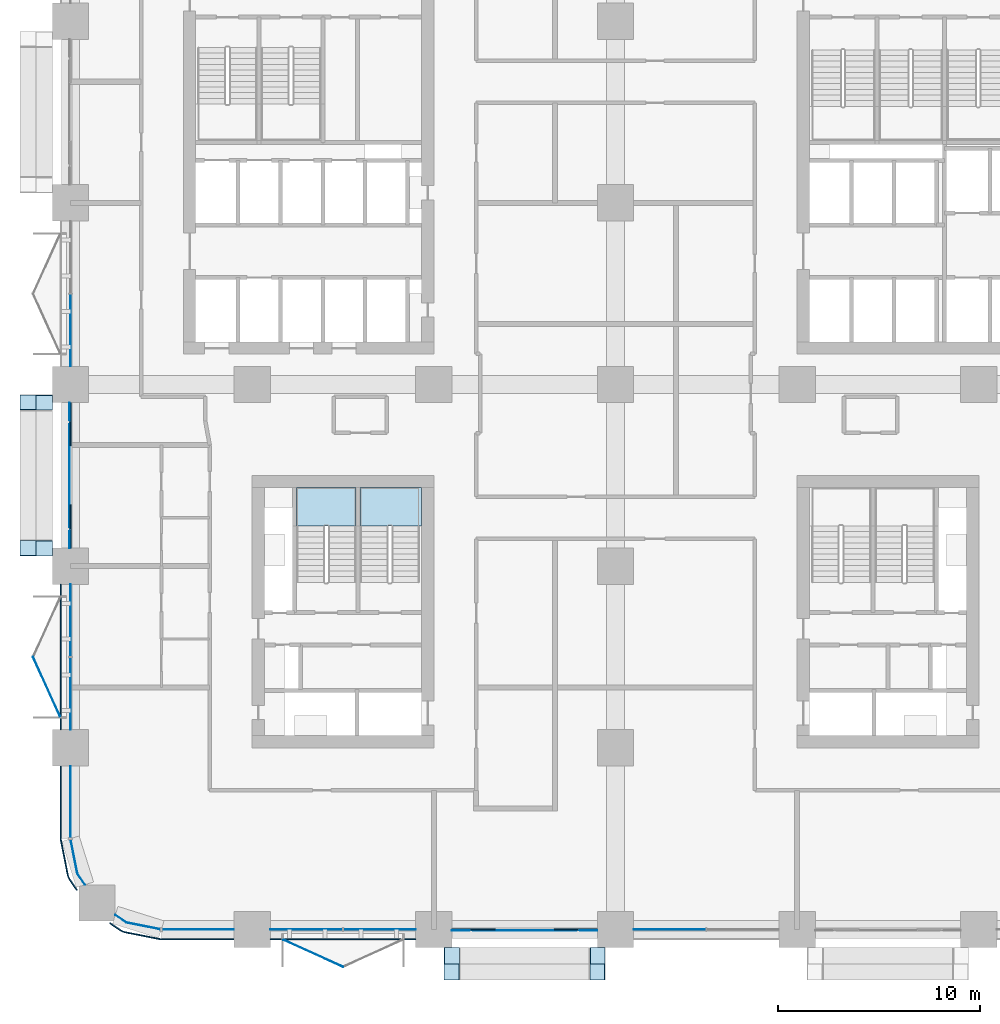
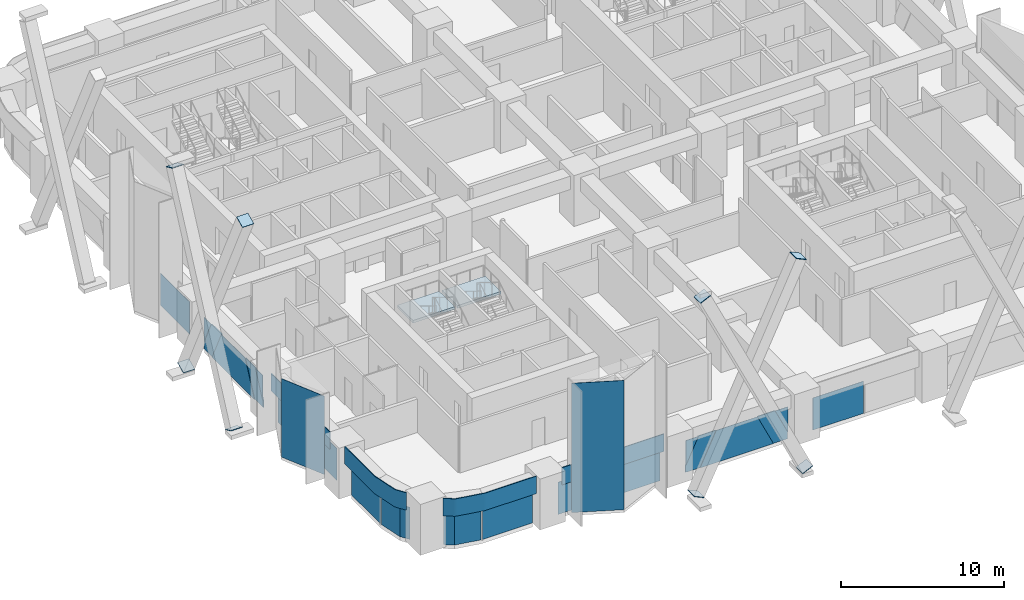
# One storey, part 10 of 23: 34 plates, 2 slabs, 10 elements without a shape of their own.
"""IFC4 building model written with IfcOpenShell, lengths in metres."""

from ifc_helpers import new_model, si_unit, direction, frame, origin, origin_2d, place, context, subcontext, project, spatial, polyline, rectangle, outline, extrude, material, layer, layer_set, type_object, element, aggregate, save


model = new_model("IFC4")

# Units and contexts
model_context = context("Model", 3, precision=1e-05, world=origin(), true_north=direction((0.0, 1.0)))
body_context = subcontext(model_context, "Body", "Model", "MODEL_VIEW")
ifc_project = project(units=[si_unit("LENGTHUNIT", "METRE"), si_unit("AREAUNIT", "SQUARE_METRE"), si_unit("VOLUMEUNIT", "CUBIC_METRE"), si_unit("PLANEANGLEUNIT", "RADIAN"), si_unit("MASSUNIT", "GRAM", prefix="KILO")], contexts=[model_context])

# Site, building, storey
site_placement = place(None, origin())
site = spatial("IfcSite", under=ifc_project, at=site_placement, CompositionType="ELEMENT")
building_placement = place(site_placement, origin())
building = spatial("IfcBuilding", under=site, at=building_placement, Name="Tessera Arch", CompositionType="ELEMENT")
storey_placement = place(building_placement, frame((0.0, 0.0, 46.199951171875)))
storey = spatial("IfcBuildingStorey", under=building, at=storey_placement, Name="L09", CompositionType="ELEMENT", Elevation=46.199951171875)

# Curtain wall, plates
ifc_material_1 = material(Name="CW1 curtain wall")
curtain_wall_type_1 = type_object("IfcCurtainWallType", Name="CW1 curtain wall", PredefinedType="NOTDEFINED", material=ifc_material_1)
curtain_wall_1_placement = place(storey_placement, origin())
curtain_wall_1 = element("IfcCurtainWall", 1, at=curtain_wall_1_placement, inside=storey, type_object=curtain_wall_type_1, Name="CW1 curtain wall S0.0/0 L09", PredefinedType="NOTDEFINED")
ifc_material_2 = material(Name="Clear low-e glass", Category="glass")
ifc_material_3 = material(Name="Clear low-e glass", Category="glass")
ifc_layer_1 = layer(ifc_material_3, 0.028076171875)
ifc_layer_set_1 = layer_set([ifc_layer_1], Name="CW1 glass panel")
plate_type_1 = type_object("IfcPlateType", Name="CW1 glass panel", PredefinedType="CURTAIN_PANEL", material=ifc_layer_set_1)
plate_1_placement = place(storey_placement, frame((11.68505859375, 0.0, 0.0), z_axis=(0.0, 0.0, 1.0), x_axis=(1.0, 0.0, 0.0)))
plate_1 = element("IfcPlate", 2, at=plate_1_placement, type_object=plate_type_1, material=ifc_material_2, Name="CW1 glass panel S0.0/0 1.1.1", PredefinedType="CURTAIN_PANEL", context=body_context, shape_type="SweptSolid", body=[
    extrude(rectangle(XDim=3.570068359375, YDim=0.028076171875, at=origin_2d()), origin(), (0.0, 0.0, 1.0), 2.39990234375),
])
plate_2_placement = place(storey_placement, frame((15.31494140625, 0.0, 0.0), z_axis=(0.0, 0.0, 1.0), x_axis=(1.0, 0.0, 0.0)))
plate_2 = element("IfcPlate", 3, at=plate_2_placement, type_object=plate_type_1, material=ifc_material_2, Name="CW1 glass panel S0.0/0 1.2.1", PredefinedType="CURTAIN_PANEL", context=body_context, shape_type="SweptSolid", body=[
    extrude(rectangle(XDim=3.570068359375, YDim=0.028076171875, at=origin_2d()), origin(), (0.0, 0.0, 1.0), 2.39990234375),
])

# Curtain wall, plate
curtain_wall_2_placement = place(storey_placement, origin())
curtain_wall_2 = element("IfcCurtainWall", 4, at=curtain_wall_2_placement, inside=storey, type_object=curtain_wall_type_1, Name="CW1 curtain wall S0.0/2 L09", PredefinedType="NOTDEFINED")
plate_3_placement = place(storey_placement, frame((29.68505859375, 0.0, 0.0), z_axis=(0.0, 0.0, 1.0), x_axis=(1.0, 0.0, 0.0)))
plate_3 = element("IfcPlate", 5, at=plate_3_placement, type_object=plate_type_1, material=ifc_material_2, Name="CW1 glass panel S0.0/2 1.1.1", PredefinedType="CURTAIN_PANEL", context=body_context, shape_type="SweptSolid", body=[
    extrude(rectangle(XDim=3.570068359375, YDim=0.028076171875, at=origin_2d()), origin(), (0.0, 0.0, 1.0), 2.39990234375),
])
aggregate(curtain_wall_2, [plate_3])

curtain_wall_3_placement = place(storey_placement, origin())
curtain_wall_3 = element("IfcCurtainWall", 6, at=curtain_wall_3_placement, inside=storey, type_object=curtain_wall_type_1, Name="CW1 curtain wall W0.0/2 L09", PredefinedType="NOTDEFINED")
plate_4_placement = place(storey_placement, frame((0.0, 29.68505859375, 0.0), z_axis=(0.0, 0.0, 1.0), x_axis=(0.0, -1.0, 0.0)))
plate_4 = element("IfcPlate", 7, at=plate_4_placement, type_object=plate_type_1, material=ifc_material_2, Name="CW1 glass panel W0.0/2 1.2.1", PredefinedType="CURTAIN_PANEL", context=body_context, shape_type="SweptSolid", body=[
    extrude(rectangle(XDim=3.570068359375, YDim=0.028076171875, at=origin_2d()), origin(), (0.0, 0.0, 1.0), 2.39990234375),
])
aggregate(curtain_wall_3, [plate_4])

# Curtain wall, plates
curtain_wall_4_placement = place(storey_placement, origin())
curtain_wall_4 = element("IfcCurtainWall", 8, at=curtain_wall_4_placement, inside=storey, type_object=curtain_wall_type_1, Name="CW1 curtain wall W0.0/4 L09", PredefinedType="NOTDEFINED")
plate_5_placement = place(storey_placement, frame((0.0, 15.31494140625, 0.0), z_axis=(0.0, 0.0, 1.0), x_axis=(0.0, -1.0, 0.0)))
plate_5 = element("IfcPlate", 9, at=plate_5_placement, type_object=plate_type_1, material=ifc_material_2, Name="CW1 glass panel W0.0/4 1.1.1", PredefinedType="CURTAIN_PANEL", context=body_context, shape_type="SweptSolid", body=[
    extrude(rectangle(XDim=3.570068359375, YDim=0.028076171875, at=origin_2d()), origin(), (0.0, 0.0, 1.0), 2.39990234375),
])
plate_6_placement = place(storey_placement, frame((0.0, 11.68505859375, 0.0), z_axis=(0.0, 0.0, 1.0), x_axis=(0.0, -1.0, 0.0)))
plate_6 = element("IfcPlate", 10, at=plate_6_placement, type_object=plate_type_1, material=ifc_material_2, Name="CW1 glass panel W0.0/4 1.2.1", PredefinedType="CURTAIN_PANEL", context=body_context, shape_type="SweptSolid", body=[
    extrude(rectangle(XDim=3.570068359375, YDim=0.028076171875, at=origin_2d()), origin(), (0.0, 0.0, 1.0), 2.39990234375),
])

# Plate
ifc_material_4 = material(Name="Pale anodised aluminium panel", Category="aluminium")
ifc_layer_2 = layer(ifc_material_4, 0.06005859375)
ifc_layer_set_2 = layer_set([ifc_layer_2], Name="CW1 spandrel panel")
plate_type_2 = type_object("IfcPlateType", Name="CW1 spandrel panel", PredefinedType="CURTAIN_PANEL", material=ifc_layer_set_2)
plate_7_placement = place(storey_placement, frame((13.5, -0.47998046875, 2.5), z_axis=(0.0, 0.0, 1.0), x_axis=(1.0, 0.0, 0.0)))
plate_7 = element("IfcPlate", 11, at=plate_7_placement, type_object=plate_type_2, Name="CW1 spandrel panel S0.0/0", PredefinedType="CURTAIN_PANEL", context=body_context, shape_type="SweptSolid", body=[
    extrude(rectangle(XDim=7.199951171875, YDim=0.06005859375, at=origin_2d()), origin(), (0.0, 0.0, 1.0), 1.300048828125),
])

aggregate(curtain_wall_1, [plate_1, plate_2, plate_7])

plate_8_placement = place(storey_placement, frame((-0.47998046875, 13.5, 2.5), z_axis=(0.0, 0.0, 1.0), x_axis=(0.0, -1.0, 0.0)))
plate_8 = element("IfcPlate", 12, at=plate_8_placement, type_object=plate_type_2, Name="CW1 spandrel panel W0.0/4", PredefinedType="CURTAIN_PANEL", context=body_context, shape_type="SweptSolid", body=[
    extrude(rectangle(XDim=7.199951171875, YDim=0.06005859375, at=origin_2d()), origin(), (0.0, 0.0, 1.0), 1.300048828125),
])

aggregate(curtain_wall_4, [plate_5, plate_6, plate_8])

# Curtain wall, plates
ifc_material_5 = material(Name="CW2 curtain wall")
curtain_wall_type_2 = type_object("IfcCurtainWallType", Name="CW2 curtain wall", PredefinedType="NOTDEFINED", material=ifc_material_5)
curtain_wall_5_placement = place(storey_placement, origin())
curtain_wall_5 = element("IfcCurtainWall", 13, at=curtain_wall_5_placement, inside=storey, type_object=curtain_wall_type_2, Name="CW2 curtain wall W0.0/5 L09", PredefinedType="NOTDEFINED")
ifc_material_6 = material(Name="Clear low-e glass", Category="glass")
ifc_layer_3 = layer(ifc_material_6, 0.028076171875)
ifc_layer_set_3 = layer_set([ifc_layer_3], Name="CW2 glass panel")
plate_type_3 = type_object("IfcPlateType", Name="CW2 glass panel", PredefinedType="CURTAIN_PANEL", material=ifc_layer_set_3)
plate_9_placement = place(storey_placement, frame((0.0, 6.320068359375, 0.0), z_axis=(0.0, 0.0, 1.0), x_axis=(0.0, -1.0, 0.0)))
plate_9 = element("IfcPlate", 14, at=plate_9_placement, type_object=plate_type_3, material=ifc_material_2, Name="CW2 glass panel W0.0/5 1.1", PredefinedType="CURTAIN_PANEL", context=body_context, shape_type="SweptSolid", body=[
    extrude(rectangle(XDim=3.56005859375, YDim=0.028076171875, at=origin_2d()), origin(), (0.0, 0.0, 1.0), 2.39990234375),
])
plate_10_placement = place(storey_placement, origin())
plate_10 = element("IfcPlate", 15, at=plate_10_placement, type_object=plate_type_3, material=ifc_material_2, Name="CW2 curved glass panel W0.0/5 2.1", PredefinedType="CURTAIN_PANEL", context=body_context, shape_type="SweptSolid", body=[
    extrude(outline(polyline([(0.355712890625, 2.783447265625), (0.021484375, 4.46337890625), (-0.005859375, 4.4580078125), (0.329345703125, 2.7724609375), (0.705078125, 2.210205078125), (0.728271484375, 2.225830078125), (0.355712890625, 2.783447265625)])), origin(), (0.0, 0.0, 1.0), 2.400146484375),
])

curtain_wall_6_placement = place(storey_placement, origin())
curtain_wall_6 = element("IfcCurtainWall", 16, at=curtain_wall_6_placement, inside=storey, type_object=curtain_wall_type_2, Name="CW2 curtain wall S0.0/5 L09", PredefinedType="NOTDEFINED")
plate_11_placement = place(storey_placement, frame((6.320068359375, 0.0, 0.0), z_axis=(0.0, 0.0, 1.0), x_axis=(1.0, 0.0, 0.0)))
plate_11 = element("IfcPlate", 17, at=plate_11_placement, type_object=plate_type_3, material=ifc_material_2, Name="CW2 glass panel S0.0/5 1.1", PredefinedType="CURTAIN_PANEL", context=body_context, shape_type="SweptSolid", body=[
    extrude(rectangle(XDim=3.56005859375, YDim=0.028076171875, at=origin_2d()), origin(), (0.0, 0.0, 1.0), 2.39990234375),
])
plate_12_placement = place(storey_placement, origin())
plate_12 = element("IfcPlate", 18, at=plate_12_placement, type_object=plate_type_3, material=ifc_material_2, Name="CW2 curved glass panel S0.0/5 2.1", PredefinedType="CURTAIN_PANEL", context=body_context, shape_type="SweptSolid", body=[
    extrude(outline(polyline([(2.783447265625, 0.355712890625), (2.225830078125, 0.728271484375), (2.210205078125, 0.705078125), (2.7724609375, 0.329345703125), (4.4580078125, -0.005859375), (4.46337890625, 0.021484375), (2.783447265625, 0.355712890625)])), origin(), (0.0, 0.0, 1.0), 2.400146484375),
])

# Plate
ifc_material_7 = material(Name="Pale anodised aluminium panel", Category="aluminium")
ifc_layer_4 = layer(ifc_material_7, 0.06005859375)
ifc_layer_set_4 = layer_set([ifc_layer_4], Name="CW2 spandrel panel")
plate_type_4 = type_object("IfcPlateType", Name="CW2 spandrel panel", PredefinedType="CURTAIN_PANEL", material=ifc_layer_set_4)
plate_13_placement = place(storey_placement, frame((0.0, 0.0, 2.5)))
plate_13 = element("IfcPlate", 19, at=plate_13_placement, type_object=plate_type_4, Name="CW2 spandrel panel W0.0/5", PredefinedType="CURTAIN_PANEL", context=body_context, shape_type="SweptSolid", body=[
    extrude(outline(polyline([(-0.449951171875, 4.500732421875), (-0.449951171875, 8.10009765625), (-0.510009765625, 8.10009765625), (-0.510009765625, 4.499267578125), (-0.507568359375, 4.449951171875), (-0.500244140625, 4.401123046875), (-0.157470703125, 2.677734375), (-0.1455078125, 2.6298828125), (-0.128662109375, 2.582763671875), (-0.107177734375, 2.537353515625), (-0.08203125, 2.4951171875), (0.292724609375, 1.9345703125), (0.342529296875, 1.968017578125), (-0.03125, 2.52734375), (-0.05419921875, 2.565673828125), (-0.0732421875, 2.605712890625), (-0.088134765625, 2.647216796875), (-0.09912109375, 2.69091796875), (-0.441162109375, 4.411376953125), (-0.44775390625, 4.455810546875), (-0.449951171875, 4.500732421875)])), origin(), (0.0, 0.0, 1.0), 1.300048828125),
])

aggregate(curtain_wall_5, [plate_9, plate_10, plate_13])

plate_14_placement = place(storey_placement, frame((0.0, 0.0, 2.5)))
plate_14 = element("IfcPlate", 20, at=plate_14_placement, type_object=plate_type_4, Name="CW2 spandrel panel S0.0/5", PredefinedType="CURTAIN_PANEL", context=body_context, shape_type="SweptSolid", body=[
    extrude(outline(polyline([(2.52734375, -0.03125), (1.968017578125, 0.342529296875), (1.9345703125, 0.292724609375), (2.4951171875, -0.08203125), (2.537353515625, -0.107177734375), (2.582763671875, -0.128662109375), (2.6298828125, -0.1455078125), (2.677734375, -0.157470703125), (4.401123046875, -0.500244140625), (4.449951171875, -0.507568359375), (4.499267578125, -0.510009765625), (8.10009765625, -0.510009765625), (8.10009765625, -0.449951171875), (4.500732421875, -0.449951171875), (4.455810546875, -0.44775390625), (4.411376953125, -0.441162109375), (2.69091796875, -0.09912109375), (2.647216796875, -0.088134765625), (2.605712890625, -0.0732421875), (2.565673828125, -0.05419921875), (2.52734375, -0.03125)])), origin(), (0.0, 0.0, 1.0), 1.300048828125),
])

aggregate(curtain_wall_6, [plate_11, plate_12, plate_14])

# Curtain wall, plates
ifc_material_8 = material(Name="CW3 curtain wall")
curtain_wall_type_3 = type_object("IfcCurtainWallType", Name="CW3 curtain wall", PredefinedType="NOTDEFINED", material=ifc_material_8)
curtain_wall_7_placement = place(storey_placement, origin())
curtain_wall_7 = element("IfcCurtainWall", 21, at=curtain_wall_7_placement, inside=storey, type_object=curtain_wall_type_3, Name="CW3 curtain wall S0.0/1 L09", PredefinedType="NOTDEFINED")
ifc_material_9 = material(Name="Pale anodised aluminium panel", Category="aluminium")
ifc_layer_5 = layer(ifc_material_9, 0.06005859375)
ifc_layer_set_5 = layer_set([ifc_layer_5], Name="CW3 diagonal panel")
plate_type_5 = type_object("IfcPlateType", Name="CW3 diagonal panel", PredefinedType="CURTAIN_PANEL", material=ifc_layer_set_5)
plate_15_placement = place(storey_placement, frame((26.10009765625, -0.030029296875, 0.0), z_axis=(0.0, -1.0, 0.0), x_axis=(0.0, 0.0, 1.0)))
plate_15 = element("IfcPlate", 22, at=plate_15_placement, type_object=plate_type_5, Name="CW3 diagonal panel S0.0/1 1", PredefinedType="CURTAIN_PANEL", context=body_context, shape_type="SweptSolid", body=[
    extrude(outline(polyline([(0.0, 0.0), (0.52685546875, 0.0), (2.400146484375, 0.887451171875), (2.400146484375, 2.144287109375), (0.0, 1.007568359375), (0.0, 0.0)])), origin(), (0.0, 0.0, -1.0), 0.06005859375),
])
plate_16_placement = place(storey_placement, frame((21.044189453125, -0.030029296875, 2.400146484375), z_axis=(0.0, -1.0, 0.0), x_axis=(-1.0, 0.0, 0.0)))
plate_16 = element("IfcPlate", 23, at=plate_16_placement, type_object=plate_type_5, Name="CW3 diagonal panel S0.0/1 2", PredefinedType="CURTAIN_PANEL", context=body_context, shape_type="SweptSolid", body=[
    extrude(outline(polyline([(0.0, 0.0), (1.2568359375, 0.0), (2.144287109375, 1.873291015625), (2.144287109375, 2.400146484375), (1.13671875, 2.400146484375), (0.0, 0.0)])), origin(), (0.0, 0.0, -1.0), 0.06005859375),
])

curtain_wall_8_placement = place(storey_placement, origin())
curtain_wall_8 = element("IfcCurtainWall", 24, at=curtain_wall_8_placement, inside=storey, type_object=curtain_wall_type_3, Name="CW3 curtain wall W0.0/3 L09", PredefinedType="NOTDEFINED")
plate_17_placement = place(storey_placement, frame((-0.030029296875, 18.89990234375, 0.0), z_axis=(-1.0, 0.0, 0.0), x_axis=(0.0, 0.0, 1.0)))
plate_17 = element("IfcPlate", 25, at=plate_17_placement, type_object=plate_type_5, Name="CW3 diagonal panel W0.0/3 1", PredefinedType="CURTAIN_PANEL", context=body_context, shape_type="SweptSolid", body=[
    extrude(outline(polyline([(0.0, 0.0), (0.52685546875, 0.0), (2.400146484375, 0.887451171875), (2.400146484375, 2.144287109375), (0.0, 1.007568359375), (0.0, 0.0)])), origin(), (0.0, 0.0, -1.0), 0.06005859375),
])
plate_18_placement = place(storey_placement, frame((-0.030029296875, 23.955810546875, 2.400146484375), z_axis=(-1.0, 0.0, 0.0), x_axis=(0.0, 1.0, 0.0)))
plate_18 = element("IfcPlate", 26, at=plate_18_placement, type_object=plate_type_5, Name="CW3 diagonal panel W0.0/3 2", PredefinedType="CURTAIN_PANEL", context=body_context, shape_type="SweptSolid", body=[
    extrude(outline(polyline([(0.0, 0.0), (1.2568359375, 0.0), (2.144287109375, 1.873291015625), (2.144287109375, 2.400146484375), (1.13671875, 2.400146484375), (0.0, 0.0)])), origin(), (0.0, 0.0, -1.0), 0.06005859375),
])

# Plate
ifc_material_10 = material(Name="Clear low-e glass", Category="glass")
ifc_layer_6 = layer(ifc_material_10, 0.028076171875)
ifc_layer_set_6 = layer_set([ifc_layer_6], Name="CW3 glass panel")
plate_type_6 = type_object("IfcPlateType", Name="CW3 glass panel", PredefinedType="CURTAIN_PANEL", material=ifc_layer_set_6)
plate_19_placement = place(storey_placement, frame((18.89990234375, -0.05810546875, 2.400146484375), z_axis=(0.0, -1.0, 0.0), x_axis=(0.0, 0.0, -1.0)))
plate_19 = element("IfcPlate", 27, at=plate_19_placement, type_object=plate_type_6, material=ifc_material_2, Name="CW3 triangulated glass panel S0.0/1 1", PredefinedType="CURTAIN_PANEL", context=body_context, shape_type="SweptSolid", body=[
    extrude(outline(polyline([(0.0, 0.0), (1.873291015625, 0.0), (0.0, 0.887451171875), (0.0, 0.0)])), origin(), (0.0, 0.0, -1.0), 0.028076171875),
])

plate_20_placement = place(storey_placement, frame((23.955810546875, -0.05810546875, 2.400146484375), z_axis=(0.0, -1.0, 0.0), x_axis=(-1.0, 0.0, 0.0)))
plate_20 = element("IfcPlate", 28, at=plate_20_placement, type_object=plate_type_6, material=ifc_material_2, Name="CW3 triangulated glass panel S0.0/1 2", PredefinedType="CURTAIN_PANEL", context=body_context, shape_type="SweptSolid", body=[
    extrude(outline(polyline([(0.0, 0.0), (2.91162109375, 0.0), (4.04833984375, 2.400146484375), (-1.13671875, 2.400146484375), (0.0, 0.0)])), origin(), (0.0, 0.0, -1.0), 0.028076171875),
])

plate_21_placement = place(storey_placement, frame((26.10009765625, -0.05810546875, 2.400146484375), z_axis=(0.0, -1.0, 0.0), x_axis=(-1.0, 0.0, 0.0)))
plate_21 = element("IfcPlate", 29, at=plate_21_placement, type_object=plate_type_6, material=ifc_material_2, Name="CW3 triangulated glass panel S0.0/1 3", PredefinedType="CURTAIN_PANEL", context=body_context, shape_type="SweptSolid", body=[
    extrude(outline(polyline([(0.0, 0.0), (0.887451171875, 0.0), (0.0, 1.873291015625), (0.0, 0.0)])), origin(), (0.0, 0.0, -1.0), 0.028076171875),
])

aggregate(curtain_wall_7, [plate_19, plate_20, plate_21, plate_15, plate_16])

plate_22_placement = place(storey_placement, frame((-0.05810546875, 26.10009765625, 2.400146484375), z_axis=(-1.0, 0.0, 0.0), x_axis=(0.0, 0.0, -1.0)))
plate_22 = element("IfcPlate", 30, at=plate_22_placement, type_object=plate_type_6, material=ifc_material_2, Name="CW3 triangulated glass panel W0.0/3 1", PredefinedType="CURTAIN_PANEL", context=body_context, shape_type="SweptSolid", body=[
    extrude(outline(polyline([(0.0, 0.0), (1.873291015625, 0.0), (0.0, 0.887451171875), (0.0, 0.0)])), origin(), (0.0, 0.0, -1.0), 0.028076171875),
])

plate_23_placement = place(storey_placement, frame((-0.05810546875, 21.044189453125, 2.400146484375), z_axis=(-1.0, 0.0, 0.0), x_axis=(0.0, 1.0, 0.0)))
plate_23 = element("IfcPlate", 31, at=plate_23_placement, type_object=plate_type_6, material=ifc_material_2, Name="CW3 triangulated glass panel W0.0/3 2", PredefinedType="CURTAIN_PANEL", context=body_context, shape_type="SweptSolid", body=[
    extrude(outline(polyline([(0.0, 0.0), (2.91162109375, 0.0), (4.04833984375, 2.400146484375), (-1.13671875, 2.400146484375), (0.0, 0.0)])), origin(), (0.0, 0.0, -1.0), 0.028076171875),
])

plate_24_placement = place(storey_placement, frame((-0.05810546875, 18.89990234375, 2.400146484375), z_axis=(-1.0, 0.0, 0.0), x_axis=(0.0, 1.0, 0.0)))
plate_24 = element("IfcPlate", 32, at=plate_24_placement, type_object=plate_type_6, material=ifc_material_2, Name="CW3 triangulated glass panel W0.0/3 3", PredefinedType="CURTAIN_PANEL", context=body_context, shape_type="SweptSolid", body=[
    extrude(outline(polyline([(0.0, 0.0), (0.887451171875, 0.0), (0.0, 1.873291015625), (0.0, 0.0)])), origin(), (0.0, 0.0, -1.0), 0.028076171875),
])

aggregate(curtain_wall_8, [plate_22, plate_23, plate_24, plate_17, plate_18])

# Plates
ifc_material_11 = material(Name="Steel A572 Gr50", Category="steel")
ifc_layer_7 = layer(ifc_material_11, 0.050048828125)
ifc_layer_set_7 = layer_set([ifc_layer_7], Name="End plate BOX 800x800x60")
plate_type_7 = type_object("IfcPlateType", Name="End plate BOX 800x800x60", PredefinedType="SHEET", material=ifc_layer_set_7)
for number, where, z_axis, x_axis, name in (
    (33, (18.878662109375, -1.300048828125, -0.84521484375), (0.425561453383, 0.0, 0.904929527308), (0.0, 1.0, 0.0), "End plate BOX 800x800x60 S0.0-1 A1 L09"),
    (34, (26.10009765625, -1.300048828125, 14.400146484375), (0.425561453383, 0.0, 0.904929527308), (0.0, 1.0, 0.0), "End plate BOX 800x800x60 S0.0-1 A2 L09"),
    (35, (26.121337890625, -2.10009765625, -0.84521484375), (-0.425561453383, 0.0, 0.904929527308), (0.0, -1.0, 0.0), "End plate BOX 800x800x60 S0.0-1 B1 L09"),
    (36, (18.89990234375, -2.10009765625, 14.400146484375), (-0.425561453383, 0.0, 0.904929527308), (0.0, -1.0, 0.0), "End plate BOX 800x800x60 S0.0-1 B2 L09"),
    (37, (-1.300048828125, 26.121337890625, -0.84521484375), (0.0, -0.425561453383, 0.904929527308), (1.0, 0.0, 0.0), "End plate BOX 800x800x60 W0.0-3 A1 L09"),
    (38, (-1.300048828125, 18.89990234375, 14.400146484375), (0.0, -0.425561453383, 0.904929527308), (1.0, 0.0, 0.0), "End plate BOX 800x800x60 W0.0-3 A2 L09"),
    (39, (-2.10009765625, 18.878662109375, -0.84521484375), (0.0, 0.425561453383, 0.904929527308), (-1.0, 0.0, 0.0), "End plate BOX 800x800x60 W0.0-3 B1 L09"),
    (40, (-2.10009765625, 26.10009765625, 14.400146484375), (0.0, 0.425561453383, 0.904929527308), (-1.0, 0.0, 0.0), "End plate BOX 800x800x60 W0.0-3 B2 L09"),
):
    element("IfcPlate", number, at=place(storey_placement, frame(where, z_axis=z_axis, x_axis=x_axis)), inside=storey, type_object=plate_type_7, Name=name, PredefinedType="SHEET", context=body_context, shape_type="SweptSolid", body=[
        extrude(rectangle(XDim=0.800048828125, YDim=0.800048828125, at=origin_2d()), origin(), (0.0, 0.0, 1.0), 0.0498046875),
    ])

# Stair, slab
ifc_material_12 = material(Name="Concrete C40/50", Category="concrete")
stair_type = type_object("IfcStairType", Name="Dogleg stair 1400", PredefinedType="HALF_TURN_STAIR", material=ifc_material_12)
stair_1_placement = place(storey_placement, origin())
stair_1 = element("IfcStair", 41, at=stair_1_placement, inside=storey, type_object=stair_type, Name="L09 S4a", PredefinedType="HALF_TURN_STAIR")
ifc_material_13 = material(Name="Concrete C40/50", Category="concrete")
ifc_layer_8 = layer(ifc_material_13, 0.300048828125)
ifc_layer_set_8 = layer_set([ifc_layer_8], Name="Stair landing 300")
slab_type = type_object("IfcSlabType", Name="Stair landing 300", PredefinedType="LANDING", material=ifc_layer_set_8)
slab_1_placement = place(storey_placement, frame((0.0, 0.0, 1.699951171875)))
slab_1 = element("IfcSlab", 42, at=slab_1_placement, type_object=slab_type, Name="S4a landing 1", PredefinedType="LANDING", context=body_context, shape_type="SweptSolid", body=[
    extrude(outline(polyline([(17.39990234375, 20.0), (17.39990234375, 21.89990234375), (14.35009765625, 21.89990234375), (14.35009765625, 20.0), (17.39990234375, 20.0)])), origin(), (0.0, 0.0, 1.0), 0.2001953125),
])
aggregate(stair_1, [slab_1])

stair_2_placement = place(storey_placement, origin())
stair_2 = element("IfcStair", 43, at=stair_2_placement, inside=storey, type_object=stair_type, Name="L09 S4b", PredefinedType="HALF_TURN_STAIR")
slab_2_placement = place(storey_placement, frame((0.0, 0.0, 1.699951171875)))
slab_2 = element("IfcSlab", 44, at=slab_2_placement, type_object=slab_type, Name="S4b landing 1", PredefinedType="LANDING", context=body_context, shape_type="SweptSolid", body=[
    extrude(outline(polyline([(14.14990234375, 20.0), (14.14990234375, 21.89990234375), (11.199951171875, 21.89990234375), (11.199951171875, 20.0), (14.14990234375, 20.0)])), origin(), (0.0, 0.0, 1.0), 0.2001953125),
])
aggregate(stair_2, [slab_2])

# Plates
ifc_material_14 = material(Name="Clear low-e glass", Category="glass")
ifc_layer_9 = layer(ifc_material_14, 0.028076171875)
ifc_layer_set_9 = layer_set([ifc_layer_9], Name="Window box glass facet")
plate_type_8 = type_object("IfcPlateType", Name="Window box glass facet", PredefinedType="SHEET", material=ifc_layer_set_9)
plate_25_placement = place(storey_placement, frame((12.02490234375, -1.179931640625, 0.22021484375), z_axis=(0.0, 0.0, 1.0), x_axis=(0.910472144558, -0.413570397858, 0.0)))
element("IfcPlate", 45, at=plate_25_placement, inside=storey, type_object=plate_type_8, Name="Window box S0.0/0.0 2x3 glass", PredefinedType="SHEET", context=body_context, shape_type="SweptSolid", body=[
    extrude(rectangle(XDim=3.239990234375, YDim=0.028076171875, at=origin_2d()), origin(), (0.0, 0.0, 1.0), 9.659912109375),
])
plate_26_placement = place(storey_placement, frame((-1.179931640625, 12.02490234375, 0.22021484375), z_axis=(0.0, 0.0, 1.0), x_axis=(-0.413570397858, 0.910472144558, 0.0)))
element("IfcPlate", 46, at=plate_26_placement, inside=storey, type_object=plate_type_8, Name="Window box W0.0/4.0 2x2 glass", PredefinedType="SHEET", context=body_context, shape_type="SweptSolid", body=[
    extrude(rectangle(XDim=3.239990234375, YDim=0.028076171875, at=origin_2d()), origin(), (0.0, 0.0, 1.0), 5.860107421875),
])

save(model, "model.ifc")
